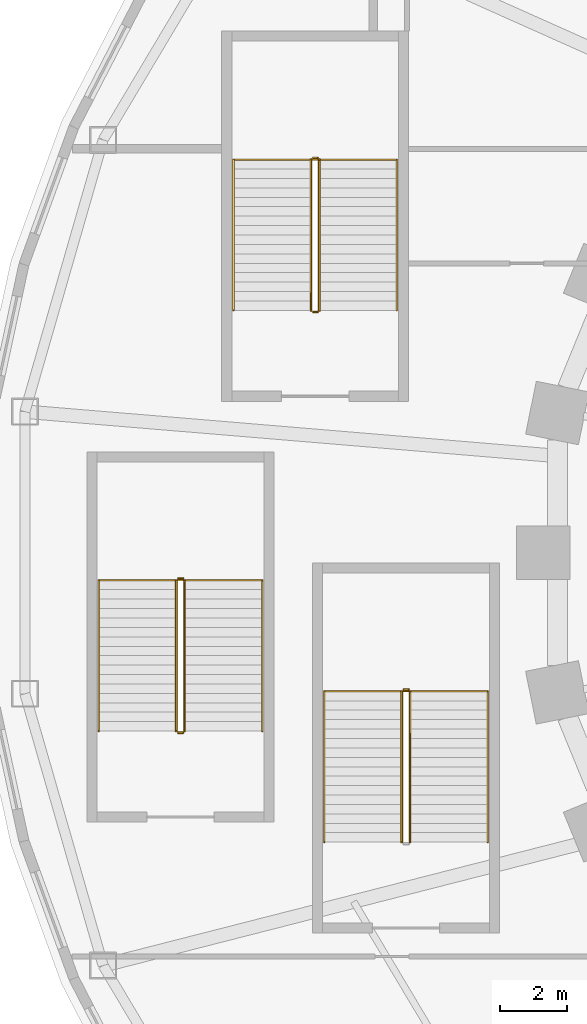
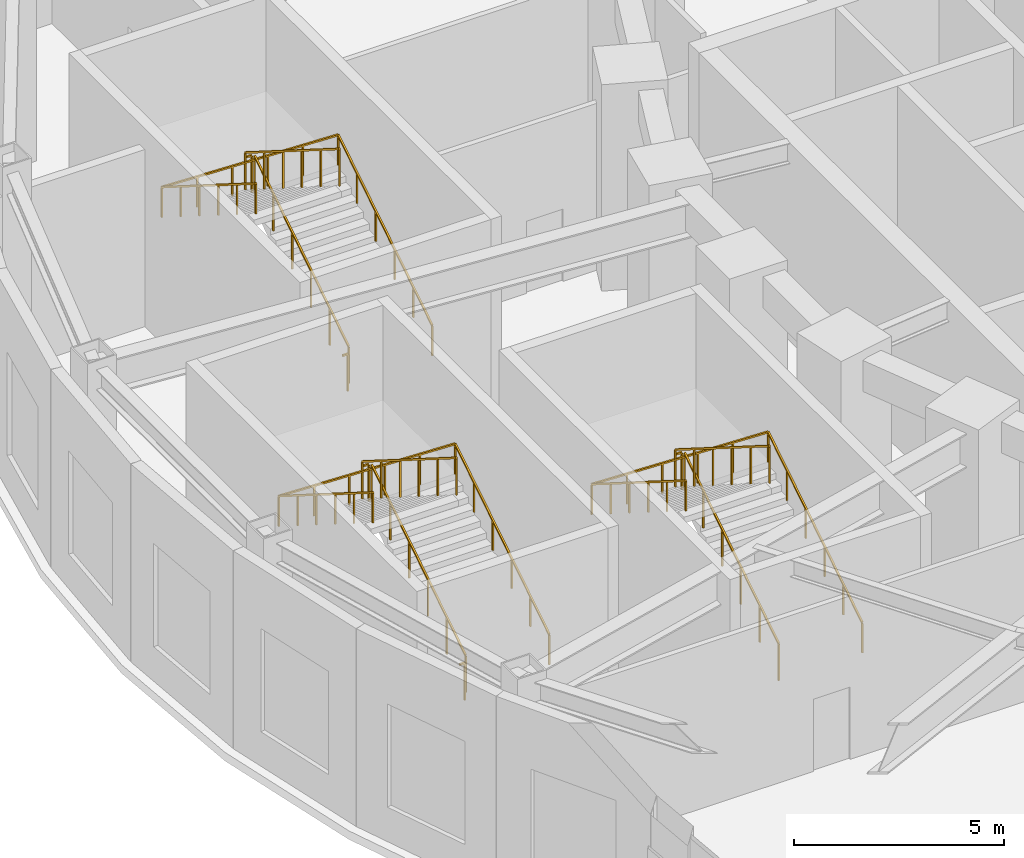
# One storey, part 46 of 74: 14 railings.
"""IFC4 building model written with IfcOpenShell, lengths in metres."""

from ifc_helpers import new_model, si_unit, direction, frame, origin, origin_2d, place, context, subcontext, project, spatial, rectangle, extrude, material, type_object, element, save


model = new_model("IFC4")

# Units and contexts
model_context = context("Model", 3, precision=1e-05, world=origin(), true_north=direction((0.0, 1.0)))
body_context = subcontext(model_context, "Body", "Model", "MODEL_VIEW")
ifc_project = project(units=[si_unit("LENGTHUNIT", "METRE"), si_unit("AREAUNIT", "SQUARE_METRE"), si_unit("VOLUMEUNIT", "CUBIC_METRE"), si_unit("PLANEANGLEUNIT", "RADIAN"), si_unit("MASSUNIT", "GRAM", prefix="KILO")], contexts=[model_context])

# Site, building, storey
site_placement = place(None, origin())
site = spatial("IfcSite", under=ifc_project, at=site_placement, CompositionType="ELEMENT")
building_placement = place(site_placement, origin())
building = spatial("IfcBuilding", under=site, at=building_placement, Name="Noorbagh Ring Tower", CompositionType="ELEMENT")
storey_placement = place(building_placement, frame((0.0, 0.0, 13.5)))
storey = spatial("IfcBuildingStorey", under=building, at=storey_placement, Name="L02", CompositionType="ELEMENT", Elevation=13.5)

# Railings
ifc_material_1 = material(Name="Stainless steel", Category="steel")
railing_type_1 = type_object("IfcRailingType", Name="GND-STAIR-GUARD", PredefinedType="GUARDRAIL", material=ifc_material_1)
railing_1_placement = place(storey_placement, frame((-38.89990234375, -8.60009765625, 0.176513671875)))
element("IfcRailing", 1, at=railing_1_placement, inside=storey, type_object=railing_type_1, Name="L02 ST-P1 stair guard", PredefinedType="GUARDRAIL", context=body_context, shape_type="SweptSolid", body=[
    extrude(rectangle(XDim=0.048095703125, YDim=0.048095703125, at=origin_2d()), frame((0.0, 0.0, 1.076171875), z_axis=(0.0, 0.845997938375, 0.533186166611), x_axis=(-1.0, 0.0, 0.0)), (0.0, 0.0, 1.0), 5.29541015625),
    extrude(rectangle(XDim=0.0419921875, YDim=0.0419921875, at=origin_2d()), origin(), (0.0, 0.0, 1.0), 1.052001953125),
    extrude(rectangle(XDim=0.0419921875, YDim=0.0419921875, at=origin_2d()), frame((0.0, 0.89599609375, 0.564697265625)), (0.0, 0.0, 1.0), 1.052001953125),
    extrude(rectangle(XDim=0.0419921875, YDim=0.0419921875, at=origin_2d()), frame((0.0, 1.7919921875, 1.12939453125)), (0.0, 0.0, 1.0), 1.052001953125),
    extrude(rectangle(XDim=0.0419921875, YDim=0.0419921875, at=origin_2d()), frame((0.0, 2.68798828125, 1.694091796875)), (0.0, 0.0, 1.0), 1.052001953125),
    extrude(rectangle(XDim=0.0419921875, YDim=0.0419921875, at=origin_2d()), frame((0.0, 3.583984375, 2.2587890625)), (0.0, 0.0, 1.0), 1.052001953125),
    extrude(rectangle(XDim=0.0419921875, YDim=0.0419921875, at=origin_2d()), frame((0.0, 4.47998046875, 2.823486328125)), (0.0, 0.0, 1.0), 1.052001953125),
])
railing_2_placement = place(storey_placement, frame((-38.949951171875, -4.070068359375, 3.0)))
element("IfcRailing", 2, at=railing_2_placement, inside=storey, type_object=railing_type_1, Name="L02 ST-P1 stair guard", PredefinedType="GUARDRAIL", context=body_context, shape_type="SweptSolid", body=[
    extrude(rectangle(XDim=0.048095703125, YDim=0.048095703125, at=origin_2d()), frame((0.0, 0.0, 1.076171875), z_axis=(-1.0, 0.0, 0.0), x_axis=(0.0, -1.0, 0.0)), (0.0, 0.0, 1.0), 0.150146484375),
    extrude(rectangle(XDim=0.0419921875, YDim=0.0419921875, at=origin_2d()), origin(), (0.0, 0.0, 1.0), 1.052001953125),
])
railing_3_placement = place(storey_placement, frame((-39.14990234375, -4.1201171875, 3.176513671875)))
element("IfcRailing", 3, at=railing_3_placement, inside=storey, type_object=railing_type_1, Name="L02 ST-P1 stair guard", PredefinedType="GUARDRAIL", context=body_context, shape_type="SweptSolid", body=[
    extrude(rectangle(XDim=0.048095703125, YDim=0.048095703125, at=origin_2d()), frame((0.0, 0.0, 1.076171875), z_axis=(0.0, -0.845997938375, 0.533186166611), x_axis=(1.0, 0.0, 0.0)), (0.0, 0.0, 1.0), 5.29541015625),
    extrude(rectangle(XDim=0.0419921875, YDim=0.0419921875, at=origin_2d()), origin(), (0.0, 0.0, 1.0), 1.052001953125),
    extrude(rectangle(XDim=0.0419921875, YDim=0.0419921875, at=origin_2d()), frame((0.0, -0.89599609375, 0.564697265625)), (0.0, 0.0, 1.0), 1.052001953125),
    extrude(rectangle(XDim=0.0419921875, YDim=0.0419921875, at=origin_2d()), frame((0.0, -1.7919921875, 1.12939453125)), (0.0, 0.0, 1.0), 1.052001953125),
    extrude(rectangle(XDim=0.0419921875, YDim=0.0419921875, at=origin_2d()), frame((0.0, -2.68798828125, 1.694091796875)), (0.0, 0.0, 1.0), 1.052001953125),
    extrude(rectangle(XDim=0.0419921875, YDim=0.0419921875, at=origin_2d()), frame((0.0, -3.583984375, 2.2587890625)), (0.0, 0.0, 1.0), 1.052001953125),
    extrude(rectangle(XDim=0.0419921875, YDim=0.0419921875, at=origin_2d()), frame((0.0, -4.47998046875, 2.823486328125)), (0.0, 0.0, 1.0), 1.052001953125),
])
railing_4_placement = place(storey_placement, frame((-45.60009765625, -5.300048828125, 0.176513671875)))
element("IfcRailing", 4, at=railing_4_placement, inside=storey, type_object=railing_type_1, Name="L02 ST-P3 stair guard", PredefinedType="GUARDRAIL", context=body_context, shape_type="SweptSolid", body=[
    extrude(rectangle(XDim=0.048095703125, YDim=0.048095703125, at=origin_2d()), frame((0.0, 0.0, 1.076171875), z_axis=(0.0, 0.845997938375, 0.533186166611), x_axis=(-1.0, 0.0, 0.0)), (0.0, 0.0, 1.0), 5.29541015625),
    extrude(rectangle(XDim=0.0419921875, YDim=0.0419921875, at=origin_2d()), origin(), (0.0, 0.0, 1.0), 1.052001953125),
    extrude(rectangle(XDim=0.0419921875, YDim=0.0419921875, at=origin_2d()), frame((0.0, 0.89599609375, 0.564697265625)), (0.0, 0.0, 1.0), 1.052001953125),
    extrude(rectangle(XDim=0.0419921875, YDim=0.0419921875, at=origin_2d()), frame((0.0, 1.7919921875, 1.12939453125)), (0.0, 0.0, 1.0), 1.052001953125),
    extrude(rectangle(XDim=0.0419921875, YDim=0.0419921875, at=origin_2d()), frame((0.0, 2.68798828125, 1.694091796875)), (0.0, 0.0, 1.0), 1.052001953125),
    extrude(rectangle(XDim=0.0419921875, YDim=0.0419921875, at=origin_2d()), frame((0.0, 3.583984375, 2.2587890625)), (0.0, 0.0, 1.0), 1.052001953125),
    extrude(rectangle(XDim=0.0419921875, YDim=0.0419921875, at=origin_2d()), frame((0.0, 4.47998046875, 2.823486328125)), (0.0, 0.0, 1.0), 1.052001953125),
])
railing_5_placement = place(storey_placement, frame((-45.64990234375, -0.77001953125, 3.0)))
element("IfcRailing", 5, at=railing_5_placement, inside=storey, type_object=railing_type_1, Name="L02 ST-P3 stair guard", PredefinedType="GUARDRAIL", context=body_context, shape_type="SweptSolid", body=[
    extrude(rectangle(XDim=0.048095703125, YDim=0.048095703125, at=origin_2d()), frame((0.0, 0.0, 1.076171875), z_axis=(-1.0, 0.0, 0.0), x_axis=(0.0, -1.0, 0.0)), (0.0, 0.0, 1.0), 0.150146484375),
    extrude(rectangle(XDim=0.0419921875, YDim=0.0419921875, at=origin_2d()), origin(), (0.0, 0.0, 1.0), 1.052001953125),
])
railing_6_placement = place(storey_placement, frame((-45.85009765625, -0.820068359375, 3.176513671875)))
element("IfcRailing", 6, at=railing_6_placement, inside=storey, type_object=railing_type_1, Name="L02 ST-P3 stair guard", PredefinedType="GUARDRAIL", context=body_context, shape_type="SweptSolid", body=[
    extrude(rectangle(XDim=0.048095703125, YDim=0.048095703125, at=origin_2d()), frame((0.0, 0.0, 1.076171875), z_axis=(0.0, -0.845997938375, 0.533186166611), x_axis=(1.0, 0.0, 0.0)), (0.0, 0.0, 1.0), 5.29541015625),
    extrude(rectangle(XDim=0.0419921875, YDim=0.0419921875, at=origin_2d()), origin(), (0.0, 0.0, 1.0), 1.052001953125),
    extrude(rectangle(XDim=0.0419921875, YDim=0.0419921875, at=origin_2d()), frame((0.0, -0.89599609375, 0.564697265625)), (0.0, 0.0, 1.0), 1.052001953125),
    extrude(rectangle(XDim=0.0419921875, YDim=0.0419921875, at=origin_2d()), frame((0.0, -1.7919921875, 1.12939453125)), (0.0, 0.0, 1.0), 1.052001953125),
    extrude(rectangle(XDim=0.0419921875, YDim=0.0419921875, at=origin_2d()), frame((0.0, -2.68798828125, 1.694091796875)), (0.0, 0.0, 1.0), 1.052001953125),
    extrude(rectangle(XDim=0.0419921875, YDim=0.0419921875, at=origin_2d()), frame((0.0, -3.583984375, 2.2587890625)), (0.0, 0.0, 1.0), 1.052001953125),
    extrude(rectangle(XDim=0.0419921875, YDim=0.0419921875, at=origin_2d()), frame((0.0, -4.47998046875, 2.823486328125)), (0.0, 0.0, 1.0), 1.052001953125),
])
railing_7_placement = place(storey_placement, frame((-45.64990234375, -5.35009765625, 0.0)))
element("IfcRailing", 7, at=railing_7_placement, inside=storey, type_object=railing_type_1, Name="L02 ST-P3 stair guard", PredefinedType="GUARDRAIL", context=body_context, shape_type="SweptSolid", body=[
    extrude(rectangle(XDim=0.048095703125, YDim=0.048095703125, at=origin_2d()), frame((0.0, 0.0, 1.076171875), z_axis=(-1.0, 0.0, 0.0), x_axis=(0.0, -1.0, 0.0)), (0.0, 0.0, 1.0), 0.150146484375),
    extrude(rectangle(XDim=0.0419921875, YDim=0.0419921875, at=origin_2d()), origin(), (0.0, 0.0, 1.0), 1.052001953125),
])
railing_8_placement = place(storey_placement, frame((-41.60009765625, 7.199951171875, 0.176513671875)))
element("IfcRailing", 8, at=railing_8_placement, inside=storey, type_object=railing_type_1, Name="L02 ST-P7 stair guard", PredefinedType="GUARDRAIL", context=body_context, shape_type="SweptSolid", body=[
    extrude(rectangle(XDim=0.048095703125, YDim=0.048095703125, at=origin_2d()), frame((0.0, 0.0, 1.076171875), z_axis=(0.0, 0.845997938375, 0.533186166611), x_axis=(-1.0, 0.0, 0.0)), (0.0, 0.0, 1.0), 5.29541015625),
    extrude(rectangle(XDim=0.0419921875, YDim=0.0419921875, at=origin_2d()), origin(), (0.0, 0.0, 1.0), 1.052001953125),
    extrude(rectangle(XDim=0.0419921875, YDim=0.0419921875, at=origin_2d()), frame((0.0, 0.89599609375, 0.564697265625)), (0.0, 0.0, 1.0), 1.052001953125),
    extrude(rectangle(XDim=0.0419921875, YDim=0.0419921875, at=origin_2d()), frame((0.0, 1.7919921875, 1.12939453125)), (0.0, 0.0, 1.0), 1.052001953125),
    extrude(rectangle(XDim=0.0419921875, YDim=0.0419921875, at=origin_2d()), frame((0.0, 2.68798828125, 1.694091796875)), (0.0, 0.0, 1.0), 1.052001953125),
    extrude(rectangle(XDim=0.0419921875, YDim=0.0419921875, at=origin_2d()), frame((0.0, 3.583984375, 2.2587890625)), (0.0, 0.0, 1.0), 1.052001953125),
    extrude(rectangle(XDim=0.0419921875, YDim=0.0419921875, at=origin_2d()), frame((0.0, 4.47998046875, 2.823486328125)), (0.0, 0.0, 1.0), 1.052001953125),
])
railing_9_placement = place(storey_placement, frame((-41.64990234375, 11.72998046875, 3.0)))
element("IfcRailing", 9, at=railing_9_placement, inside=storey, type_object=railing_type_1, Name="L02 ST-P7 stair guard", PredefinedType="GUARDRAIL", context=body_context, shape_type="SweptSolid", body=[
    extrude(rectangle(XDim=0.048095703125, YDim=0.048095703125, at=origin_2d()), frame((0.0, 0.0, 1.076171875), z_axis=(-1.0, 0.0, 0.0), x_axis=(0.0, -1.0, 0.0)), (0.0, 0.0, 1.0), 0.150146484375),
    extrude(rectangle(XDim=0.0419921875, YDim=0.0419921875, at=origin_2d()), origin(), (0.0, 0.0, 1.0), 1.052001953125),
])
railing_10_placement = place(storey_placement, frame((-41.85009765625, 11.679931640625, 3.176513671875)))
element("IfcRailing", 10, at=railing_10_placement, inside=storey, type_object=railing_type_1, Name="L02 ST-P7 stair guard", PredefinedType="GUARDRAIL", context=body_context, shape_type="SweptSolid", body=[
    extrude(rectangle(XDim=0.048095703125, YDim=0.048095703125, at=origin_2d()), frame((0.0, 0.0, 1.076171875), z_axis=(0.0, -0.845997938375, 0.533186166611), x_axis=(1.0, 0.0, 0.0)), (0.0, 0.0, 1.0), 5.29541015625),
    extrude(rectangle(XDim=0.0419921875, YDim=0.0419921875, at=origin_2d()), origin(), (0.0, 0.0, 1.0), 1.052001953125),
    extrude(rectangle(XDim=0.0419921875, YDim=0.0419921875, at=origin_2d()), frame((0.0, -0.89599609375, 0.564697265625)), (0.0, 0.0, 1.0), 1.052001953125),
    extrude(rectangle(XDim=0.0419921875, YDim=0.0419921875, at=origin_2d()), frame((0.0, -1.7919921875, 1.12939453125)), (0.0, 0.0, 1.0), 1.052001953125),
    extrude(rectangle(XDim=0.0419921875, YDim=0.0419921875, at=origin_2d()), frame((0.0, -2.68798828125, 1.694091796875)), (0.0, 0.0, 1.0), 1.052001953125),
    extrude(rectangle(XDim=0.0419921875, YDim=0.0419921875, at=origin_2d()), frame((0.0, -3.583984375, 2.2587890625)), (0.0, 0.0, 1.0), 1.052001953125),
    extrude(rectangle(XDim=0.0419921875, YDim=0.0419921875, at=origin_2d()), frame((0.0, -4.47998046875, 2.823486328125)), (0.0, 0.0, 1.0), 1.052001953125),
])
railing_11_placement = place(storey_placement, frame((-41.64990234375, 7.14990234375, 0.0)))
element("IfcRailing", 11, at=railing_11_placement, inside=storey, type_object=railing_type_1, Name="L02 ST-P7 stair guard", PredefinedType="GUARDRAIL", context=body_context, shape_type="SweptSolid", body=[
    extrude(rectangle(XDim=0.048095703125, YDim=0.048095703125, at=origin_2d()), frame((0.0, 0.0, 1.076171875), z_axis=(-1.0, 0.0, 0.0), x_axis=(0.0, -1.0, 0.0)), (0.0, 0.0, 1.0), 0.150146484375),
    extrude(rectangle(XDim=0.0419921875, YDim=0.0419921875, at=origin_2d()), origin(), (0.0, 0.0, 1.0), 1.052001953125),
])
ifc_material_2 = material(Name="Stainless steel", Category="steel")
railing_type_2 = type_object("IfcRailingType", Name="GND-STAIR-HANDRAIL", PredefinedType="HANDRAIL", material=ifc_material_2)
railing_12_placement = place(storey_placement, frame((-36.60009765625, -8.60009765625, 0.176513671875)))
element("IfcRailing", 12, at=railing_12_placement, inside=storey, type_object=railing_type_2, Name="L02 ST-P1 stair handrail", PredefinedType="HANDRAIL", context=body_context, shape_type="SweptSolid", body=[
    extrude(rectangle(XDim=0.048095703125, YDim=0.048095703125, at=origin_2d()), frame((0.0, 0.0, 0.8759765625), z_axis=(0.0, 0.845997938375, 0.533186166611), x_axis=(-1.0, 0.0, 0.0)), (0.0, 0.0, 1.0), 5.29541015625),
    extrude(rectangle(XDim=0.048095703125, YDim=0.048095703125, at=origin_2d()), frame((0.0, 4.47998046875, 3.69921875), z_axis=(-0.999338334855, 0.0, 0.036371589031), x_axis=(0.0, -1.0, 0.0)), (0.0, 0.0, 1.0), 4.85302734375),
    extrude(rectangle(XDim=0.048095703125, YDim=0.048095703125, at=origin_2d()), frame((-4.849853515625, 4.47998046875, 3.8759765625), z_axis=(0.0, -0.845997938375, 0.533186166611), x_axis=(1.0, 0.0, 0.0)), (0.0, 0.0, 1.0), 5.29541015625),
    extrude(rectangle(XDim=0.0419921875, YDim=0.0419921875, at=origin_2d()), origin(), (0.0, 0.0, 1.0), 0.851806640625),
    extrude(rectangle(XDim=0.0419921875, YDim=0.0419921875, at=origin_2d()), frame((0.0, 0.89599609375, 0.564697265625)), (0.0, 0.0, 1.0), 0.851806640625),
    extrude(rectangle(XDim=0.0419921875, YDim=0.0419921875, at=origin_2d()), frame((0.0, 1.7919921875, 1.12939453125)), (0.0, 0.0, 1.0), 0.851806640625),
    extrude(rectangle(XDim=0.0419921875, YDim=0.0419921875, at=origin_2d()), frame((0.0, 2.68798828125, 1.694091796875)), (0.0, 0.0, 1.0), 0.851806640625),
    extrude(rectangle(XDim=0.0419921875, YDim=0.0419921875, at=origin_2d()), frame((0.0, 3.583984375, 2.2587890625)), (0.0, 0.0, 1.0), 0.851806640625),
    extrude(rectangle(XDim=0.0419921875, YDim=0.0419921875, at=origin_2d()), frame((0.0, 4.47998046875, 2.823486328125)), (0.0, 0.0, 1.0), 0.851806640625),
    extrude(rectangle(XDim=0.0419921875, YDim=0.0419921875, at=origin_2d()), frame((-0.969970703125, 4.47998046875, 2.85888671875)), (0.0, 0.0, 1.0), 0.851806640625),
    extrude(rectangle(XDim=0.0419921875, YDim=0.0419921875, at=origin_2d()), frame((-1.93994140625, 4.47998046875, 2.89404296875)), (0.0, 0.0, 1.0), 0.851806640625),
    extrude(rectangle(XDim=0.0419921875, YDim=0.0419921875, at=origin_2d()), frame((-2.909912109375, 4.47998046875, 2.929443359375)), (0.0, 0.0, 1.0), 0.851806640625),
    extrude(rectangle(XDim=0.0419921875, YDim=0.0419921875, at=origin_2d()), frame((-3.8798828125, 4.47998046875, 2.964599609375)), (0.0, 0.0, 1.0), 0.851806640625),
    extrude(rectangle(XDim=0.0419921875, YDim=0.0419921875, at=origin_2d()), frame((-4.849853515625, 4.47998046875, 3.0)), (0.0, 0.0, 1.0), 0.851806640625),
    extrude(rectangle(XDim=0.0419921875, YDim=0.0419921875, at=origin_2d()), frame((-4.849853515625, 3.583984375, 3.564697265625)), (0.0, 0.0, 1.0), 0.851806640625),
    extrude(rectangle(XDim=0.0419921875, YDim=0.0419921875, at=origin_2d()), frame((-4.849853515625, 2.68798828125, 4.12939453125)), (0.0, 0.0, 1.0), 0.851806640625),
    extrude(rectangle(XDim=0.0419921875, YDim=0.0419921875, at=origin_2d()), frame((-4.849853515625, 1.7919921875, 4.694091796875)), (0.0, 0.0, 1.0), 0.851806640625),
    extrude(rectangle(XDim=0.0419921875, YDim=0.0419921875, at=origin_2d()), frame((-4.849853515625, 0.89599609375, 5.2587890625)), (0.0, 0.0, 1.0), 0.851806640625),
    extrude(rectangle(XDim=0.0419921875, YDim=0.0419921875, at=origin_2d()), frame((-4.849853515625, 0.0, 5.823486328125)), (0.0, 0.0, 1.0), 0.851806640625),
])
railing_13_placement = place(storey_placement, frame((-43.300048828125, -5.300048828125, 0.176513671875)))
element("IfcRailing", 13, at=railing_13_placement, inside=storey, type_object=railing_type_2, Name="L02 ST-P3 stair handrail", PredefinedType="HANDRAIL", context=body_context, shape_type="SweptSolid", body=[
    extrude(rectangle(XDim=0.048095703125, YDim=0.048095703125, at=origin_2d()), frame((0.0, 0.0, 0.8759765625), z_axis=(0.0, 0.845997938375, 0.533186166611), x_axis=(-1.0, 0.0, 0.0)), (0.0, 0.0, 1.0), 5.29541015625),
    extrude(rectangle(XDim=0.048095703125, YDim=0.048095703125, at=origin_2d()), frame((0.0, 4.47998046875, 3.69921875), z_axis=(-0.999338334855, 0.0, 0.036371589031), x_axis=(0.0, -1.0, 0.0)), (0.0, 0.0, 1.0), 4.85302734375),
    extrude(rectangle(XDim=0.048095703125, YDim=0.048095703125, at=origin_2d()), frame((-4.849853515625, 4.47998046875, 3.8759765625), z_axis=(0.0, -0.845997938375, 0.533186166611), x_axis=(1.0, 0.0, 0.0)), (0.0, 0.0, 1.0), 5.29541015625),
    extrude(rectangle(XDim=0.0419921875, YDim=0.0419921875, at=origin_2d()), origin(), (0.0, 0.0, 1.0), 0.851806640625),
    extrude(rectangle(XDim=0.0419921875, YDim=0.0419921875, at=origin_2d()), frame((0.0, 0.89599609375, 0.564697265625)), (0.0, 0.0, 1.0), 0.851806640625),
    extrude(rectangle(XDim=0.0419921875, YDim=0.0419921875, at=origin_2d()), frame((0.0, 1.7919921875, 1.12939453125)), (0.0, 0.0, 1.0), 0.851806640625),
    extrude(rectangle(XDim=0.0419921875, YDim=0.0419921875, at=origin_2d()), frame((0.0, 2.68798828125, 1.694091796875)), (0.0, 0.0, 1.0), 0.851806640625),
    extrude(rectangle(XDim=0.0419921875, YDim=0.0419921875, at=origin_2d()), frame((0.0, 3.583984375, 2.2587890625)), (0.0, 0.0, 1.0), 0.851806640625),
    extrude(rectangle(XDim=0.0419921875, YDim=0.0419921875, at=origin_2d()), frame((0.0, 4.47998046875, 2.823486328125)), (0.0, 0.0, 1.0), 0.851806640625),
    extrude(rectangle(XDim=0.0419921875, YDim=0.0419921875, at=origin_2d()), frame((-0.969970703125, 4.47998046875, 2.85888671875)), (0.0, 0.0, 1.0), 0.851806640625),
    extrude(rectangle(XDim=0.0419921875, YDim=0.0419921875, at=origin_2d()), frame((-1.93994140625, 4.47998046875, 2.89404296875)), (0.0, 0.0, 1.0), 0.851806640625),
    extrude(rectangle(XDim=0.0419921875, YDim=0.0419921875, at=origin_2d()), frame((-2.909912109375, 4.47998046875, 2.929443359375)), (0.0, 0.0, 1.0), 0.851806640625),
    extrude(rectangle(XDim=0.0419921875, YDim=0.0419921875, at=origin_2d()), frame((-3.8798828125, 4.47998046875, 2.964599609375)), (0.0, 0.0, 1.0), 0.851806640625),
    extrude(rectangle(XDim=0.0419921875, YDim=0.0419921875, at=origin_2d()), frame((-4.849853515625, 4.47998046875, 3.0)), (0.0, 0.0, 1.0), 0.851806640625),
    extrude(rectangle(XDim=0.0419921875, YDim=0.0419921875, at=origin_2d()), frame((-4.849853515625, 3.583984375, 3.564697265625)), (0.0, 0.0, 1.0), 0.851806640625),
    extrude(rectangle(XDim=0.0419921875, YDim=0.0419921875, at=origin_2d()), frame((-4.849853515625, 2.68798828125, 4.12939453125)), (0.0, 0.0, 1.0), 0.851806640625),
    extrude(rectangle(XDim=0.0419921875, YDim=0.0419921875, at=origin_2d()), frame((-4.849853515625, 1.7919921875, 4.694091796875)), (0.0, 0.0, 1.0), 0.851806640625),
    extrude(rectangle(XDim=0.0419921875, YDim=0.0419921875, at=origin_2d()), frame((-4.849853515625, 0.89599609375, 5.2587890625)), (0.0, 0.0, 1.0), 0.851806640625),
    extrude(rectangle(XDim=0.0419921875, YDim=0.0419921875, at=origin_2d()), frame((-4.849853515625, 0.0, 5.823486328125)), (0.0, 0.0, 1.0), 0.851806640625),
])
railing_14_placement = place(storey_placement, frame((-39.300048828125, 7.199951171875, 0.176513671875)))
element("IfcRailing", 14, at=railing_14_placement, inside=storey, type_object=railing_type_2, Name="L02 ST-P7 stair handrail", PredefinedType="HANDRAIL", context=body_context, shape_type="SweptSolid", body=[
    extrude(rectangle(XDim=0.048095703125, YDim=0.048095703125, at=origin_2d()), frame((0.0, 0.0, 0.8759765625), z_axis=(0.0, 0.845997938375, 0.533186166611), x_axis=(-1.0, 0.0, 0.0)), (0.0, 0.0, 1.0), 5.29541015625),
    extrude(rectangle(XDim=0.048095703125, YDim=0.048095703125, at=origin_2d()), frame((0.0, 4.47998046875, 3.69921875), z_axis=(-0.999338334855, 0.0, 0.036371589031), x_axis=(0.0, -1.0, 0.0)), (0.0, 0.0, 1.0), 4.85302734375),
    extrude(rectangle(XDim=0.048095703125, YDim=0.048095703125, at=origin_2d()), frame((-4.849853515625, 4.47998046875, 3.8759765625), z_axis=(0.0, -0.845997938375, 0.533186166611), x_axis=(1.0, 0.0, 0.0)), (0.0, 0.0, 1.0), 5.29541015625),
    extrude(rectangle(XDim=0.0419921875, YDim=0.0419921875, at=origin_2d()), origin(), (0.0, 0.0, 1.0), 0.851806640625),
    extrude(rectangle(XDim=0.0419921875, YDim=0.0419921875, at=origin_2d()), frame((0.0, 0.89599609375, 0.564697265625)), (0.0, 0.0, 1.0), 0.851806640625),
    extrude(rectangle(XDim=0.0419921875, YDim=0.0419921875, at=origin_2d()), frame((0.0, 1.7919921875, 1.12939453125)), (0.0, 0.0, 1.0), 0.851806640625),
    extrude(rectangle(XDim=0.0419921875, YDim=0.0419921875, at=origin_2d()), frame((0.0, 2.68798828125, 1.694091796875)), (0.0, 0.0, 1.0), 0.851806640625),
    extrude(rectangle(XDim=0.0419921875, YDim=0.0419921875, at=origin_2d()), frame((0.0, 3.583984375, 2.2587890625)), (0.0, 0.0, 1.0), 0.851806640625),
    extrude(rectangle(XDim=0.0419921875, YDim=0.0419921875, at=origin_2d()), frame((0.0, 4.47998046875, 2.823486328125)), (0.0, 0.0, 1.0), 0.851806640625),
    extrude(rectangle(XDim=0.0419921875, YDim=0.0419921875, at=origin_2d()), frame((-0.969970703125, 4.47998046875, 2.85888671875)), (0.0, 0.0, 1.0), 0.851806640625),
    extrude(rectangle(XDim=0.0419921875, YDim=0.0419921875, at=origin_2d()), frame((-1.93994140625, 4.47998046875, 2.89404296875)), (0.0, 0.0, 1.0), 0.851806640625),
    extrude(rectangle(XDim=0.0419921875, YDim=0.0419921875, at=origin_2d()), frame((-2.909912109375, 4.47998046875, 2.929443359375)), (0.0, 0.0, 1.0), 0.851806640625),
    extrude(rectangle(XDim=0.0419921875, YDim=0.0419921875, at=origin_2d()), frame((-3.8798828125, 4.47998046875, 2.964599609375)), (0.0, 0.0, 1.0), 0.851806640625),
    extrude(rectangle(XDim=0.0419921875, YDim=0.0419921875, at=origin_2d()), frame((-4.849853515625, 4.47998046875, 3.0)), (0.0, 0.0, 1.0), 0.851806640625),
    extrude(rectangle(XDim=0.0419921875, YDim=0.0419921875, at=origin_2d()), frame((-4.849853515625, 3.583984375, 3.564697265625)), (0.0, 0.0, 1.0), 0.851806640625),
    extrude(rectangle(XDim=0.0419921875, YDim=0.0419921875, at=origin_2d()), frame((-4.849853515625, 2.68798828125, 4.12939453125)), (0.0, 0.0, 1.0), 0.851806640625),
    extrude(rectangle(XDim=0.0419921875, YDim=0.0419921875, at=origin_2d()), frame((-4.849853515625, 1.7919921875, 4.694091796875)), (0.0, 0.0, 1.0), 0.851806640625),
    extrude(rectangle(XDim=0.0419921875, YDim=0.0419921875, at=origin_2d()), frame((-4.849853515625, 0.89599609375, 5.2587890625)), (0.0, 0.0, 1.0), 0.851806640625),
    extrude(rectangle(XDim=0.0419921875, YDim=0.0419921875, at=origin_2d()), frame((-4.849853515625, 0.0, 5.823486328125)), (0.0, 0.0, 1.0), 0.851806640625),
])

save(model, "model.ifc")
